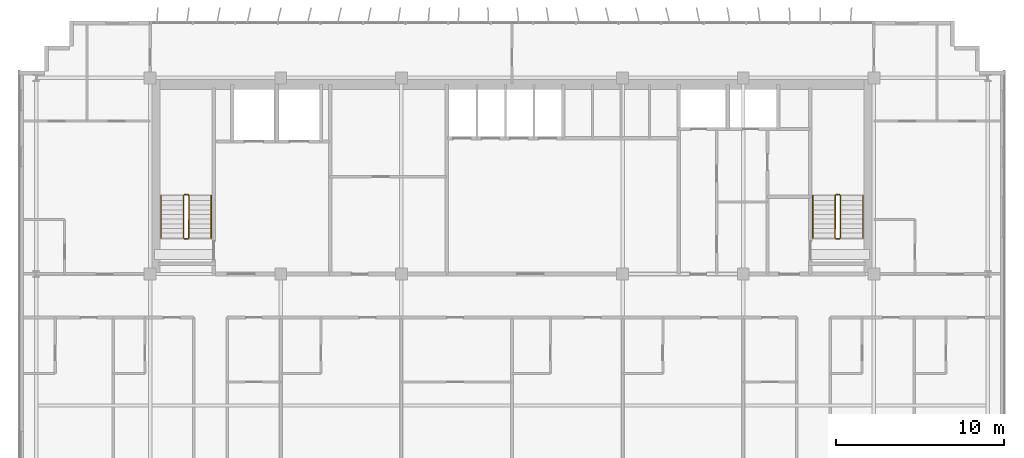
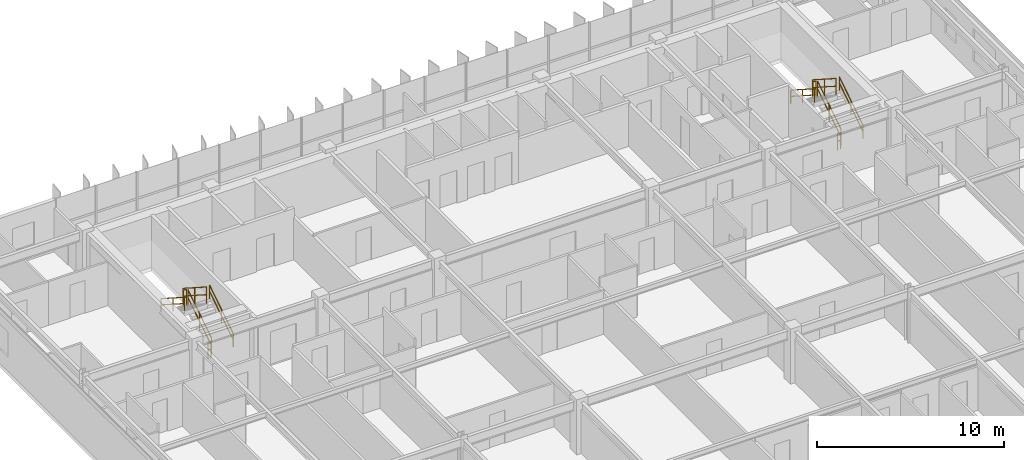
# One storey, part 21 of 21: 12 railings.
"""IFC4 building model written with IfcOpenShell, lengths in metres."""

from ifc_helpers import new_model, si_unit, direction, frame, origin, origin_2d, place, context, subcontext, project, spatial, rectangle, extrude, material, type_object, element, save


model = new_model("IFC4")

# Units and contexts
model_context = context("Model", 3, precision=1e-05, world=origin(), true_north=direction((0.0, 1.0)))
body_context = subcontext(model_context, "Body", "Model", "MODEL_VIEW")
ifc_project = project(units=[si_unit("LENGTHUNIT", "METRE"), si_unit("AREAUNIT", "SQUARE_METRE"), si_unit("VOLUMEUNIT", "CUBIC_METRE"), si_unit("PLANEANGLEUNIT", "RADIAN"), si_unit("MASSUNIT", "GRAM", prefix="KILO")], contexts=[model_context])

# Site, building, storey
site_placement = place(None, origin())
site = spatial("IfcSite", under=ifc_project, at=site_placement, CompositionType="ELEMENT")
building_placement = place(site_placement, origin())
building = spatial("IfcBuilding", under=site, at=building_placement, Name="Trelvane Seafront Commons", CompositionType="ELEMENT")
storey_placement = place(building_placement, frame((0.0, 0.0, 135.699951171875)))
storey = spatial("IfcBuildingStorey", under=building, at=storey_placement, Name="L35", CompositionType="ELEMENT", Elevation=135.699951171875)

# Railings
ifc_material = material(Name="Stainless steel balustrade", Category="steel")
railing_type_1 = type_object("IfcRailingType", Name="ARCH-SRL-GUARD", PredefinedType="GUARDRAIL", material=ifc_material)
railing_1_placement = place(storey_placement, frame((17.89990234375, 35.550048828125, 0.179931640625)))
element("IfcRailing", 1, at=railing_1_placement, inside=storey, type_object=railing_type_1, Name="L35 ST-1 stair guard 1", PredefinedType="GUARDRAIL", context=body_context, shape_type="SweptSolid", body=[
    extrude(rectangle(XDim=0.048095703125, YDim=0.048095703125, at=origin_2d()), frame((0.0, 0.0, 1.076171875), z_axis=(0.0, 0.841162588446, 0.540782303519), x_axis=(-1.0, 0.0, 0.0)), (0.0, 0.0, 1.0), 2.995849609375),
    extrude(rectangle(XDim=0.048095703125, YDim=0.048095703125, at=origin_2d()), frame((0.0, 0.0, 0.572021484375), z_axis=(0.0, 0.841162588446, 0.540782303519), x_axis=(-1.0, 0.0, 0.0)), (0.0, 0.0, 1.0), 2.995849609375),
    extrude(rectangle(XDim=0.0419921875, YDim=0.0419921875, at=origin_2d()), origin(), (0.0, 0.0, 1.0), 1.076171875),
    extrude(rectangle(XDim=0.0419921875, YDim=0.0419921875, at=origin_2d()), frame((0.0, 1.260009765625, 0.81005859375)), (0.0, 0.0, 1.0), 1.076171875),
    extrude(rectangle(XDim=0.0419921875, YDim=0.0419921875, at=origin_2d()), frame((0.0, 2.52001953125, 1.6201171875)), (0.0, 0.0, 1.0), 1.076171875),
])
railing_2_placement = place(storey_placement, frame((17.85009765625, 38.1201171875, 1.800048828125)))
element("IfcRailing", 2, at=railing_2_placement, inside=storey, type_object=railing_type_1, Name="L35 ST-1 stair guard 2", PredefinedType="GUARDRAIL", context=body_context, shape_type="SweptSolid", body=[
    extrude(rectangle(XDim=0.048095703125, YDim=0.048095703125, at=origin_2d()), frame((0.0, 0.0, 1.076171875), z_axis=(-1.0, 0.0, 0.0), x_axis=(0.0, -1.0, 0.0)), (0.0, 0.0, 1.0), 0.2001953125),
    extrude(rectangle(XDim=0.048095703125, YDim=0.048095703125, at=origin_2d()), frame((0.0, 0.0, 0.572021484375), z_axis=(-1.0, 0.0, 0.0), x_axis=(0.0, -1.0, 0.0)), (0.0, 0.0, 1.0), 0.2001953125),
    extrude(rectangle(XDim=0.0419921875, YDim=0.0419921875, at=origin_2d()), origin(), (0.0, 0.0, 1.0), 1.076171875),
    extrude(rectangle(XDim=0.0419921875, YDim=0.0419921875, at=origin_2d()), frame((-0.2001953125, 0.0, 0.0)), (0.0, 0.0, 1.0), 1.076171875),
])
railing_3_placement = place(storey_placement, frame((17.60009765625, 38.070068359375, 1.97998046875)))
element("IfcRailing", 3, at=railing_3_placement, inside=storey, type_object=railing_type_1, Name="L35 ST-1 stair guard 3", PredefinedType="GUARDRAIL", context=body_context, shape_type="SweptSolid", body=[
    extrude(rectangle(XDim=0.048095703125, YDim=0.048095703125, at=origin_2d()), frame((0.0, 0.0, 1.076171875), z_axis=(0.0, -0.841162588446, 0.540782303519), x_axis=(1.0, 0.0, 0.0)), (0.0, 0.0, 1.0), 2.995849609375),
    extrude(rectangle(XDim=0.048095703125, YDim=0.048095703125, at=origin_2d()), frame((0.0, 0.0, 0.572021484375), z_axis=(0.0, -0.841162588446, 0.540782303519), x_axis=(1.0, 0.0, 0.0)), (0.0, 0.0, 1.0), 2.995849609375),
    extrude(rectangle(XDim=0.0419921875, YDim=0.0419921875, at=origin_2d()), origin(), (0.0, 0.0, 1.0), 1.076171875),
    extrude(rectangle(XDim=0.0419921875, YDim=0.0419921875, at=origin_2d()), frame((0.0, -1.260009765625, 0.81005859375)), (0.0, 0.0, 1.0), 1.076171875),
    extrude(rectangle(XDim=0.0419921875, YDim=0.0419921875, at=origin_2d()), frame((0.0, -2.52001953125, 1.6201171875)), (0.0, 0.0, 1.0), 1.076171875),
])
railing_4_placement = place(storey_placement, frame((17.85009765625, 35.5, 0.0)))
element("IfcRailing", 4, at=railing_4_placement, inside=storey, type_object=railing_type_1, Name="L35 ST-1 stair guard 4", PredefinedType="GUARDRAIL", context=body_context, shape_type="SweptSolid", body=[
    extrude(rectangle(XDim=0.048095703125, YDim=0.048095703125, at=origin_2d()), frame((0.0, 0.0, 1.076171875), z_axis=(-1.0, 0.0, 0.0), x_axis=(0.0, -1.0, 0.0)), (0.0, 0.0, 1.0), 0.2001953125),
    extrude(rectangle(XDim=0.048095703125, YDim=0.048095703125, at=origin_2d()), frame((0.0, 0.0, 0.572021484375), z_axis=(-1.0, 0.0, 0.0), x_axis=(0.0, -1.0, 0.0)), (0.0, 0.0, 1.0), 0.2001953125),
    extrude(rectangle(XDim=0.0419921875, YDim=0.0419921875, at=origin_2d()), origin(), (0.0, 0.0, 1.0), 1.076171875),
    extrude(rectangle(XDim=0.0419921875, YDim=0.0419921875, at=origin_2d()), frame((-0.2001953125, 0.0, 0.0)), (0.0, 0.0, 1.0), 1.076171875),
])
railing_5_placement = place(storey_placement, frame((56.800048828125, 35.550048828125, 0.179931640625)))
element("IfcRailing", 5, at=railing_5_placement, inside=storey, type_object=railing_type_1, Name="L35 ST-2 stair guard 1", PredefinedType="GUARDRAIL", context=body_context, shape_type="SweptSolid", body=[
    extrude(rectangle(XDim=0.048095703125, YDim=0.048095703125, at=origin_2d()), frame((0.0, 0.0, 1.076171875), z_axis=(0.0, 0.841162588446, 0.540782303519), x_axis=(-1.0, 0.0, 0.0)), (0.0, 0.0, 1.0), 2.995849609375),
    extrude(rectangle(XDim=0.048095703125, YDim=0.048095703125, at=origin_2d()), frame((0.0, 0.0, 0.572021484375), z_axis=(0.0, 0.841162588446, 0.540782303519), x_axis=(-1.0, 0.0, 0.0)), (0.0, 0.0, 1.0), 2.995849609375),
    extrude(rectangle(XDim=0.0419921875, YDim=0.0419921875, at=origin_2d()), origin(), (0.0, 0.0, 1.0), 1.076171875),
    extrude(rectangle(XDim=0.0419921875, YDim=0.0419921875, at=origin_2d()), frame((0.0, 1.260009765625, 0.81005859375)), (0.0, 0.0, 1.0), 1.076171875),
    extrude(rectangle(XDim=0.0419921875, YDim=0.0419921875, at=origin_2d()), frame((0.0, 2.52001953125, 1.6201171875)), (0.0, 0.0, 1.0), 1.076171875),
])
railing_6_placement = place(storey_placement, frame((56.75, 38.1201171875, 1.800048828125)))
element("IfcRailing", 6, at=railing_6_placement, inside=storey, type_object=railing_type_1, Name="L35 ST-2 stair guard 2", PredefinedType="GUARDRAIL", context=body_context, shape_type="SweptSolid", body=[
    extrude(rectangle(XDim=0.048095703125, YDim=0.048095703125, at=origin_2d()), frame((0.0, 0.0, 1.076171875), z_axis=(-1.0, 0.0, 0.0), x_axis=(0.0, -1.0, 0.0)), (0.0, 0.0, 1.0), 0.199951171875),
    extrude(rectangle(XDim=0.048095703125, YDim=0.048095703125, at=origin_2d()), frame((0.0, 0.0, 0.572021484375), z_axis=(-1.0, 0.0, 0.0), x_axis=(0.0, -1.0, 0.0)), (0.0, 0.0, 1.0), 0.199951171875),
    extrude(rectangle(XDim=0.0419921875, YDim=0.0419921875, at=origin_2d()), origin(), (0.0, 0.0, 1.0), 1.076171875),
    extrude(rectangle(XDim=0.0419921875, YDim=0.0419921875, at=origin_2d()), frame((-0.199951171875, 0.0, 0.0)), (0.0, 0.0, 1.0), 1.076171875),
])
railing_7_placement = place(storey_placement, frame((56.5, 38.070068359375, 1.97998046875)))
element("IfcRailing", 7, at=railing_7_placement, inside=storey, type_object=railing_type_1, Name="L35 ST-2 stair guard 3", PredefinedType="GUARDRAIL", context=body_context, shape_type="SweptSolid", body=[
    extrude(rectangle(XDim=0.048095703125, YDim=0.048095703125, at=origin_2d()), frame((0.0, 0.0, 1.076171875), z_axis=(0.0, -0.841162588446, 0.540782303519), x_axis=(1.0, 0.0, 0.0)), (0.0, 0.0, 1.0), 2.995849609375),
    extrude(rectangle(XDim=0.048095703125, YDim=0.048095703125, at=origin_2d()), frame((0.0, 0.0, 0.572021484375), z_axis=(0.0, -0.841162588446, 0.540782303519), x_axis=(1.0, 0.0, 0.0)), (0.0, 0.0, 1.0), 2.995849609375),
    extrude(rectangle(XDim=0.0419921875, YDim=0.0419921875, at=origin_2d()), origin(), (0.0, 0.0, 1.0), 1.076171875),
    extrude(rectangle(XDim=0.0419921875, YDim=0.0419921875, at=origin_2d()), frame((0.0, -1.260009765625, 0.81005859375)), (0.0, 0.0, 1.0), 1.076171875),
    extrude(rectangle(XDim=0.0419921875, YDim=0.0419921875, at=origin_2d()), frame((0.0, -2.52001953125, 1.6201171875)), (0.0, 0.0, 1.0), 1.076171875),
])
railing_8_placement = place(storey_placement, frame((56.75, 35.5, 0.0)))
element("IfcRailing", 8, at=railing_8_placement, inside=storey, type_object=railing_type_1, Name="L35 ST-2 stair guard 4", PredefinedType="GUARDRAIL", context=body_context, shape_type="SweptSolid", body=[
    extrude(rectangle(XDim=0.048095703125, YDim=0.048095703125, at=origin_2d()), frame((0.0, 0.0, 1.076171875), z_axis=(-1.0, 0.0, 0.0), x_axis=(0.0, -1.0, 0.0)), (0.0, 0.0, 1.0), 0.199951171875),
    extrude(rectangle(XDim=0.048095703125, YDim=0.048095703125, at=origin_2d()), frame((0.0, 0.0, 0.572021484375), z_axis=(-1.0, 0.0, 0.0), x_axis=(0.0, -1.0, 0.0)), (0.0, 0.0, 1.0), 0.199951171875),
    extrude(rectangle(XDim=0.0419921875, YDim=0.0419921875, at=origin_2d()), origin(), (0.0, 0.0, 1.0), 1.076171875),
    extrude(rectangle(XDim=0.0419921875, YDim=0.0419921875, at=origin_2d()), frame((-0.199951171875, 0.0, 0.0)), (0.0, 0.0, 1.0), 1.076171875),
])
railing_type_2 = type_object("IfcRailingType", Name="ARCH-SRL-HAND", PredefinedType="HANDRAIL", material=ifc_material)
railing_9_placement = place(storey_placement, frame((19.25, 35.550048828125, 0.179931640625)))
element("IfcRailing", 9, at=railing_9_placement, inside=storey, type_object=railing_type_2, Name="L35 ST-1 stair handrail 1", PredefinedType="HANDRAIL", context=body_context, shape_type="SweptSolid", body=[
    extrude(rectangle(XDim=0.048095703125, YDim=0.048095703125, at=origin_2d()), frame((0.0, 0.0, 0.8759765625), z_axis=(0.0, 0.841162588446, 0.540782303519), x_axis=(-1.0, 0.0, 0.0)), (0.0, 0.0, 1.0), 2.995849609375),
    extrude(rectangle(XDim=0.048095703125, YDim=0.048095703125, at=origin_2d()), frame((0.0, 0.0, 0.468017578125), z_axis=(0.0, 0.841162588446, 0.540782303519), x_axis=(-1.0, 0.0, 0.0)), (0.0, 0.0, 1.0), 2.995849609375),
    extrude(rectangle(XDim=0.0419921875, YDim=0.0419921875, at=origin_2d()), origin(), (0.0, 0.0, 1.0), 0.8759765625),
    extrude(rectangle(XDim=0.0419921875, YDim=0.0419921875, at=origin_2d()), frame((0.0, 1.260009765625, 0.81005859375)), (0.0, 0.0, 1.0), 0.8759765625),
    extrude(rectangle(XDim=0.0419921875, YDim=0.0419921875, at=origin_2d()), frame((0.0, 2.52001953125, 1.6201171875)), (0.0, 0.0, 1.0), 0.8759765625),
])
railing_10_placement = place(storey_placement, frame((16.25, 38.070068359375, 1.97998046875)))
element("IfcRailing", 10, at=railing_10_placement, inside=storey, type_object=railing_type_2, Name="L35 ST-1 stair handrail 2", PredefinedType="HANDRAIL", context=body_context, shape_type="SweptSolid", body=[
    extrude(rectangle(XDim=0.048095703125, YDim=0.048095703125, at=origin_2d()), frame((0.0, 0.0, 0.8759765625), z_axis=(0.0, -0.841162588446, 0.540782303519), x_axis=(1.0, 0.0, 0.0)), (0.0, 0.0, 1.0), 2.995849609375),
    extrude(rectangle(XDim=0.048095703125, YDim=0.048095703125, at=origin_2d()), frame((0.0, 0.0, 0.468017578125), z_axis=(0.0, -0.841162588446, 0.540782303519), x_axis=(1.0, 0.0, 0.0)), (0.0, 0.0, 1.0), 2.995849609375),
    extrude(rectangle(XDim=0.0419921875, YDim=0.0419921875, at=origin_2d()), origin(), (0.0, 0.0, 1.0), 0.8759765625),
    extrude(rectangle(XDim=0.0419921875, YDim=0.0419921875, at=origin_2d()), frame((0.0, -1.260009765625, 0.81005859375)), (0.0, 0.0, 1.0), 0.8759765625),
    extrude(rectangle(XDim=0.0419921875, YDim=0.0419921875, at=origin_2d()), frame((0.0, -2.52001953125, 1.6201171875)), (0.0, 0.0, 1.0), 0.8759765625),
])
railing_11_placement = place(storey_placement, frame((58.14990234375, 35.550048828125, 0.179931640625)))
element("IfcRailing", 11, at=railing_11_placement, inside=storey, type_object=railing_type_2, Name="L35 ST-2 stair handrail 1", PredefinedType="HANDRAIL", context=body_context, shape_type="SweptSolid", body=[
    extrude(rectangle(XDim=0.048095703125, YDim=0.048095703125, at=origin_2d()), frame((0.0, 0.0, 0.8759765625), z_axis=(0.0, 0.841162588446, 0.540782303519), x_axis=(-1.0, 0.0, 0.0)), (0.0, 0.0, 1.0), 2.995849609375),
    extrude(rectangle(XDim=0.048095703125, YDim=0.048095703125, at=origin_2d()), frame((0.0, 0.0, 0.468017578125), z_axis=(0.0, 0.841162588446, 0.540782303519), x_axis=(-1.0, 0.0, 0.0)), (0.0, 0.0, 1.0), 2.995849609375),
    extrude(rectangle(XDim=0.0419921875, YDim=0.0419921875, at=origin_2d()), origin(), (0.0, 0.0, 1.0), 0.8759765625),
    extrude(rectangle(XDim=0.0419921875, YDim=0.0419921875, at=origin_2d()), frame((0.0, 1.260009765625, 0.81005859375)), (0.0, 0.0, 1.0), 0.8759765625),
    extrude(rectangle(XDim=0.0419921875, YDim=0.0419921875, at=origin_2d()), frame((0.0, 2.52001953125, 1.6201171875)), (0.0, 0.0, 1.0), 0.8759765625),
])
railing_12_placement = place(storey_placement, frame((55.14990234375, 38.070068359375, 1.97998046875)))
element("IfcRailing", 12, at=railing_12_placement, inside=storey, type_object=railing_type_2, Name="L35 ST-2 stair handrail 2", PredefinedType="HANDRAIL", context=body_context, shape_type="SweptSolid", body=[
    extrude(rectangle(XDim=0.048095703125, YDim=0.048095703125, at=origin_2d()), frame((0.0, 0.0, 0.8759765625), z_axis=(0.0, -0.841162588446, 0.540782303519), x_axis=(1.0, 0.0, 0.0)), (0.0, 0.0, 1.0), 2.995849609375),
    extrude(rectangle(XDim=0.048095703125, YDim=0.048095703125, at=origin_2d()), frame((0.0, 0.0, 0.468017578125), z_axis=(0.0, -0.841162588446, 0.540782303519), x_axis=(1.0, 0.0, 0.0)), (0.0, 0.0, 1.0), 2.995849609375),
    extrude(rectangle(XDim=0.0419921875, YDim=0.0419921875, at=origin_2d()), origin(), (0.0, 0.0, 1.0), 0.8759765625),
    extrude(rectangle(XDim=0.0419921875, YDim=0.0419921875, at=origin_2d()), frame((0.0, -1.260009765625, 0.81005859375)), (0.0, 0.0, 1.0), 0.8759765625),
    extrude(rectangle(XDim=0.0419921875, YDim=0.0419921875, at=origin_2d()), frame((0.0, -2.52001953125, 1.6201171875)), (0.0, 0.0, 1.0), 0.8759765625),
])

save(model, "model.ifc")
